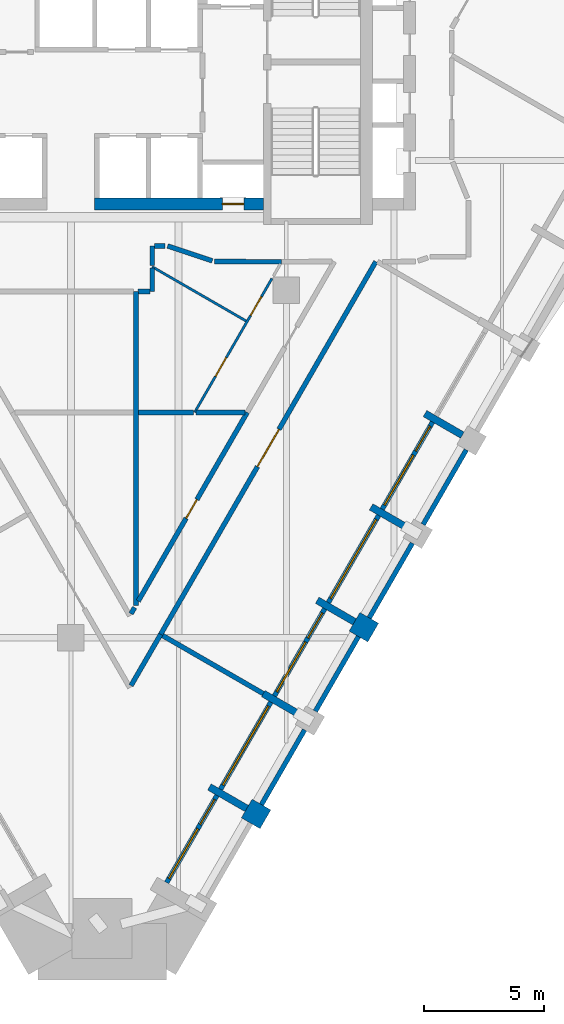
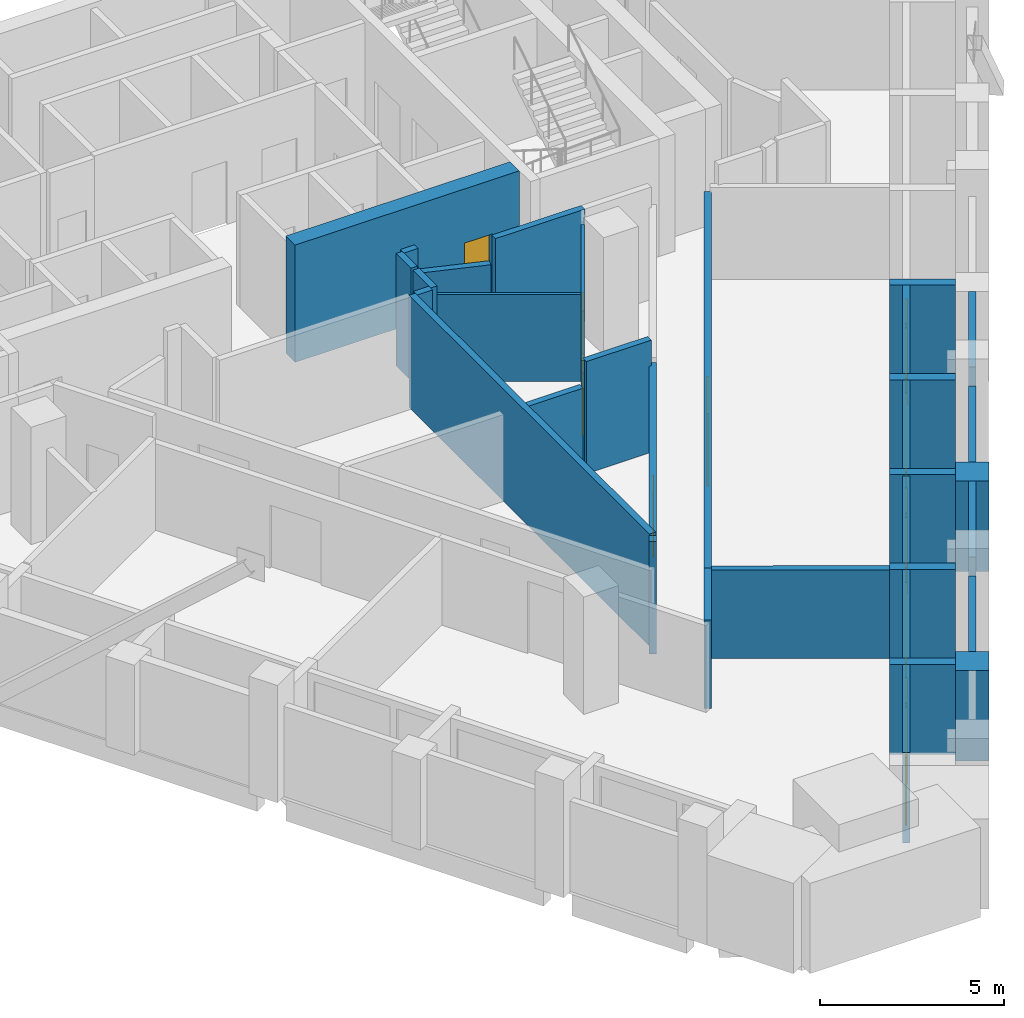
# One storey, part 4 of 9: 33 walls, 8 doors, 5 windows, 13 openings.
"""IFC4 building model written with IfcOpenShell, lengths in metres."""

from ifc_helpers import new_model, si_unit, direction, frame, frame_2d, origin, place, context, subcontext, project, spatial, polyline, rectangle, outline, extrude, material, layer, layer_set, type_object, element, fill, save


model = new_model("IFC4")

# Units and contexts
model_context = context("Model", 3, precision=1e-05, world=origin(), true_north=direction((0.0, 1.0)))
body_context = subcontext(model_context, "Body", "Model", "MODEL_VIEW")
ifc_project = project(units=[si_unit("LENGTHUNIT", "METRE"), si_unit("AREAUNIT", "SQUARE_METRE"), si_unit("VOLUMEUNIT", "CUBIC_METRE"), si_unit("PLANEANGLEUNIT", "RADIAN"), si_unit("MASSUNIT", "GRAM", prefix="KILO")], contexts=[model_context])

# Site, building, storey
site_placement = place(None, origin())
site = spatial("IfcSite", under=ifc_project, at=site_placement, CompositionType="ELEMENT")
building_placement = place(site_placement, origin())
building = spatial("IfcBuilding", under=site, at=building_placement, Name="Calabash Gate Tower", CompositionType="ELEMENT")
storey_placement = place(building_placement, frame((0.0, 0.0, 204.199951171875)))
storey = spatial("IfcBuildingStorey", under=building, at=storey_placement, Name="L48", CompositionType="ELEMENT", Elevation=204.199951171875)

# Walls
ifc_material_1 = material(Name="Terracotta brick masonry, exposed face", Category="masonry")
ifc_layer_1 = layer(ifc_material_1, 0.89990234375)
ifc_layer_set_1 = layer_set([ifc_layer_1], Name="Brick end wall 900")
wall_type_1 = type_object("IfcWallType", Name="Brick end wall 900", PredefinedType="SOLIDWALL", material=ifc_layer_set_1)
for number, where, z_axis, x_axis, name in (
    (1, (7.9609375, -18.967041015625, 0.0), (0.0, 0.0, 1.0), (-0.50001992892, -0.866013897511, 0.0), "Brick pier S13 SE2.1"),
    (2, (11.84619140625, -11.33740234375, 0.0), (0.0, 0.0, 1.0), (0.865896406789, -0.500223362819, 0.0), "Brick pier S13 SE2.3"),
):
    element("IfcWall", number, at=place(storey_placement, frame(where, z_axis=z_axis, x_axis=x_axis)), inside=storey, type_object=wall_type_1, Name=name, PredefinedType="SOLIDWALL", context=body_context, shape_type="SweptSolid", body=[
        extrude(rectangle(XDim=0.89990234375, YDim=0.89990234375, at=frame_2d((0.449951171875, 0.0))), origin(), (0.0, 0.0, 1.0), 3.0),
    ])
ifc_material_2 = material(Name="Terracotta brick masonry, exposed face", Category="masonry")
ifc_layer_2 = layer(ifc_material_2, 0.300048828125)
ifc_layer_set_2 = layer_set([ifc_layer_2], Name="Brick loggia cheek wall 300")
wall_type_2 = type_object("IfcWallType", Name="Brick loggia cheek wall 300", PredefinedType="SOLIDWALL", material=ifc_layer_set_2)
for number, where, z_axis, x_axis, name in (
    (3, (7.34619140625, -19.131591796875, 0.0), (0.0, 0.0, 1.0), (-0.866047807691, 0.499961193289, 0.0), "Loggia cheek S13 SE2.1"),
    (4, (9.59619140625, -15.234619140625, 0.0), (0.0, 0.0, 1.0), (-0.866047807691, 0.499961193289, 0.0), "Loggia cheek S13 SE2.2"),
    (5, (11.84619140625, -11.33740234375, 0.0), (0.0, 0.0, 1.0), (-0.866047807691, 0.499961193289, 0.0), "Loggia cheek S13 SE2.3"),
):
    element("IfcWall", number, at=place(storey_placement, frame(where, z_axis=z_axis, x_axis=x_axis)), inside=storey, type_object=wall_type_2, Name=name, PredefinedType="SOLIDWALL", context=body_context, shape_type="SweptSolid", body=[
        extrude(rectangle(XDim=1.800048828125, YDim=0.300048828125, at=frame_2d((0.89990234375, 0.0))), origin(), (0.0, 0.0, 1.0), 3.0),
    ])
wall_1_placement = place(storey_placement, frame((14.09521484375, -7.43994140625, 0.0), z_axis=(0.0, 0.0, 1.0), x_axis=(-0.86597086914, 0.50009444488, 0.0)))
element("IfcWall", 6, at=wall_1_placement, inside=storey, type_object=wall_type_2, Name="Loggia cheek S13 SE2.4", PredefinedType="SOLIDWALL", context=body_context, shape_type="SweptSolid", body=[
    extrude(rectangle(XDim=1.799072265625, YDim=0.300048828125, at=frame_2d((0.8994140625, 0.0))), origin(), (0.0, 0.0, 1.0), 3.0),
])
wall_2_placement = place(storey_placement, frame((16.34619140625, -3.543212890625, 0.0), z_axis=(0.0, 0.0, 1.0), x_axis=(-0.866047807691, 0.499961193289, 0.0)))
element("IfcWall", 7, at=wall_2_placement, inside=storey, type_object=wall_type_2, Name="Loggia cheek S13 SE2.5", PredefinedType="SOLIDWALL", context=body_context, shape_type="SweptSolid", body=[
    extrude(rectangle(XDim=1.800048828125, YDim=0.300048828125, at=frame_2d((0.89990234375, 0.0))), origin(), (0.0, 0.0, 1.0), 3.0),
])

# Wall, opening, door
ifc_material_3 = material(Name="Concrete C70/85", Category="concrete")
ifc_layer_3 = layer(ifc_material_3, 0.5)
ifc_layer_set_3 = layer_set([ifc_layer_3], Name="Core wall 500 Concrete C70/85")
wall_type_3 = type_object("IfcWallType", Name="Core wall 500 Concrete C70/85", PredefinedType="SHEAR", material=ifc_layer_set_3)
wall_3_placement = place(storey_placement, frame((1.0, 6.1025390625, 0.0), z_axis=(0.0, 0.0, 1.0), x_axis=(1.0, 0.0, 0.0)))
wall_3 = element("IfcWall", 8, at=wall_3_placement, inside=storey, type_object=wall_type_3, Name="Core wall Z4-SB L48", PredefinedType="SHEAR", context=body_context, shape_type="SweptSolid", body=[
    extrude(rectangle(XDim=7.050048828125, YDim=0.5, at=frame_2d((3.52490234375, 0.0))), origin(), (0.0, 0.0, 1.0), 3.900146484375),
])
opening_1_placement = place(wall_3_placement, frame((5.324951171875, 0.0, 0.0)))
opening_1 = element("IfcOpeningElement", 9, at=opening_1_placement, cuts=wall_3, Name="Opening O5-016", PredefinedType="OPENING", context=body_context, shape_type="SweptSolid", body=[
    extrude(rectangle(XDim=0.89990234375, YDim=2.10009765625, at=frame_2d((0.449951171875, 1.050048828125))), frame((0.0, 0.260009765625, 0.0), z_axis=(0.0, -1.0, 0.0), x_axis=(1.0, 0.0, 0.0)), (0.0, 0.0, 1.0), 0.52001953125),
])
ifc_material_4 = material(Name="Steel fire door set with fire-resisting glazing", Category="steel")
door_type_1 = type_object("IfcDoorType", Name="Fire door D07 900x2100 FD90", OperationType="NOTDEFINED", PredefinedType="DOOR", material=ifc_material_4)
door_1_placement = place(opening_1_placement, origin())
door_1 = element("IfcDoor", 10, at=door_1_placement, inside=storey, type_object=door_type_1, Name="Mechanical Riser E door", OperationType="SINGLE_SWING_RIGHT", OverallHeight=2.10009765625, OverallWidth=0.89990234375, PredefinedType="DOOR", context=body_context, shape_type="SweptSolid", body=[
    extrude(rectangle(XDim=0.89990234375, YDim=2.10009765625, at=frame_2d((0.449951171875, 1.050048828125))), frame((0.0, 0.02490234375, 0.0), z_axis=(0.0, -1.0, 0.0), x_axis=(1.0, 0.0, 0.0)), (0.0, 0.0, 1.0), 0.050048828125),
])
fill(opening_1, door_1)

# Wall, openings, doors
ifc_material_5 = material(Name="Gypsum board on steel studs, mineral wool", Category="steel")
ifc_layer_4 = layer(ifc_material_5, 0.10009765625)
ifc_layer_set_4 = layer_set([ifc_layer_4], Name="Partition 100 gypsum board")
wall_type_4 = type_object("IfcWallType", Name="Partition 100 gypsum board", PredefinedType="PARTITIONING", material=ifc_layer_set_4)
wall_4_placement = place(storey_placement, frame((5.17138671875, -2.5947265625, 0.0), z_axis=(0.0, 0.0, 1.0), x_axis=(0.499959304802, 0.866048897893, 0.0)))
wall_4 = element("IfcWall", 11, at=wall_4_placement, inside=storey, type_object=wall_type_4, Name="Partition", PredefinedType="PARTITIONING", context=body_context, shape_type="SweptSolid", body=[
    extrude(rectangle(XDim=6.4541015625, YDim=0.10009765625, at=frame_2d((3.22705078125, 0.0))), origin(), (0.0, 0.0, 1.0), 3.72998046875),
])
opening_2_placement = place(wall_4_placement, frame((1.7392578125, 0.0, 0.0)))
opening_2 = element("IfcOpeningElement", 12, at=opening_2_placement, cuts=wall_4, Name="Opening 46-48-014", PredefinedType="OPENING", context=body_context, shape_type="SweptSolid", body=[
    extrude(rectangle(XDim=0.89990234375, YDim=2.10009765625, at=frame_2d((0.449951171875, 1.050048828125))), frame((0.0, 0.06005859375, 0.0), z_axis=(0.0, -1.0, 0.0), x_axis=(1.0, 0.0, 0.0)), (0.0, 0.0, 1.0), 0.1201171875),
])
opening_3_placement = place(wall_4_placement, frame((4.67333984375, 0.0, 0.0)))
opening_3 = element("IfcOpeningElement", 13, at=opening_3_placement, cuts=wall_4, Name="Opening 46-48-015", PredefinedType="OPENING", context=body_context, shape_type="SweptSolid", body=[
    extrude(rectangle(XDim=0.89990234375, YDim=2.10009765625, at=frame_2d((0.449951171875, 1.050048828125))), frame((0.0, 0.06005859375, 0.0), z_axis=(0.0, -1.0, 0.0), x_axis=(1.0, 0.0, 0.0)), (0.0, 0.0, 1.0), 0.1201171875),
])
ifc_material_6 = material(Name="Painted timber door", Category="wood")
door_type_2 = type_object("IfcDoorType", Name="WD1 WC door 900x2100", OperationType="NOTDEFINED", PredefinedType="DOOR", material=ifc_material_6)
door_2_placement = place(opening_2_placement, origin())
door_2 = element("IfcDoor", 14, at=door_2_placement, inside=storey, type_object=door_type_2, Name="WC door", OperationType="SINGLE_SWING_LEFT", OverallHeight=2.10009765625, OverallWidth=0.89990234375, PredefinedType="DOOR", context=body_context, shape_type="SweptSolid", body=[
    extrude(rectangle(XDim=0.89990234375, YDim=2.10009765625, at=frame_2d((0.449951171875, 1.050048828125))), frame((0.0, 0.02490234375, 0.0), z_axis=(0.0, -1.0, 0.0), x_axis=(1.0, 0.0, 0.0)), (0.0, 0.0, 1.0), 0.050048828125),
])
fill(opening_2, door_2)
door_3_placement = place(opening_3_placement, origin())
door_3 = element("IfcDoor", 15, at=door_3_placement, inside=storey, type_object=door_type_2, Name="WC door", OperationType="SINGLE_SWING_RIGHT", OverallHeight=2.10009765625, OverallWidth=0.89990234375, PredefinedType="DOOR", context=body_context, shape_type="SweptSolid", body=[
    extrude(rectangle(XDim=0.89990234375, YDim=2.10009765625, at=frame_2d((0.449951171875, 1.050048828125))), frame((0.0, 0.02490234375, 0.0), z_axis=(0.0, -1.0, 0.0), x_axis=(1.0, 0.0, 0.0)), (0.0, 0.0, 1.0), 0.050048828125),
])
fill(opening_3, door_3)

# Walls
wall_5_placement = place(storey_placement, frame((3.400390625, 3.484375, 0.0), z_axis=(0.0, 0.0, 1.0), x_axis=(0.866039077776, -0.499976315204, 0.0)))
element("IfcWall", 16, at=wall_5_placement, inside=storey, type_object=wall_type_4, Name="Partition", PredefinedType="PARTITIONING", context=body_context, shape_type="SweptSolid", body=[
    extrude(rectangle(XDim=4.523193359375, YDim=0.10009765625, at=frame_2d((2.26171875, 0.0))), origin(), (0.0, 0.0, 1.0), 2.884033203125),
])
ifc_material_7 = material(Name="Gypsum board on steel studs, mineral wool", Category="steel")
ifc_layer_5 = layer(ifc_material_7, 0.199951171875)
ifc_layer_set_5 = layer_set([ifc_layer_5], Name="Partition 200 gypsum board EI 60")
wall_type_5 = type_object("IfcWallType", Name="Partition 200 gypsum board EI 60", PredefinedType="PARTITIONING", material=ifc_layer_set_5)
wall_6_placement = place(storey_placement, frame((3.83642578125, -11.91162109375, 0.0), z_axis=(0.0, 0.0, 1.0), x_axis=(0.866197319414, -0.499702115105, 0.0)))
element("IfcWall", 17, at=wall_6_placement, inside=storey, type_object=wall_type_5, Name="Partition", PredefinedType="PARTITIONING", context=body_context, shape_type="SweptSolid", body=[
    extrude(rectangle(XDim=4.849609375, YDim=0.199951171875, at=frame_2d((2.4248046875, 0.0))), origin(), (0.0, 0.0, 1.0), 2.9501953125),
])
wall_7_placement = place(storey_placement, frame((2.514892578125, -14.0, 0.0), z_axis=(0.0, 0.0, 1.0), x_axis=(0.500654523814, 0.865647184357, 0.0)))
element("IfcWall", 18, at=wall_7_placement, inside=storey, type_object=wall_type_5, Name="Partition", PredefinedType="PARTITIONING", context=body_context, shape_type="SweptSolid", body=[
    extrude(rectangle(XDim=2.470947265625, YDim=0.199951171875, at=frame_2d((1.2353515625, 0.0))), origin(), (0.0, 0.0, 1.0), 2.9501953125),
])
wall_8_placement = place(storey_placement, frame((2.514892578125, -10.999267578125, 0.0), z_axis=(0.0, 0.0, 1.0), x_axis=(0.500426713919, 0.865778900179, 0.0)))
element("IfcWall", 19, at=wall_8_placement, inside=storey, type_object=wall_type_5, Name="Partition", PredefinedType="PARTITIONING", context=body_context, shape_type="SweptSolid", body=[
    extrude(rectangle(XDim=0.300048828125, YDim=0.199951171875, at=frame_2d((0.14990234375, 0.0))), origin(), (0.0, 0.0, 1.0), 3.72998046875),
])

# Wall, opening, door
wall_9_placement = place(storey_placement, frame((2.81689453125, -10.47265625, 0.0), z_axis=(0.0, 0.0, 1.0), x_axis=(0.500185489254, 0.865918285024, 0.0)))
wall_9 = element("IfcWall", 20, at=wall_9_placement, inside=storey, type_object=wall_type_5, Name="Partition", PredefinedType="PARTITIONING", context=body_context, shape_type="SweptSolid", body=[
    extrude(rectangle(XDim=9.09716796875, YDim=0.199951171875, at=frame_2d((4.548583984375, 0.0))), origin(), (0.0, 0.0, 1.0), 2.884033203125),
])
opening_4_placement = place(wall_9_placement, frame((3.995361328125, 0.0, 0.0)))
opening_4 = element("IfcOpeningElement", 21, at=opening_4_placement, cuts=wall_9, Name="Opening 46-48-005", PredefinedType="OPENING", context=body_context, shape_type="SweptSolid", body=[
    extrude(rectangle(XDim=0.89990234375, YDim=2.10009765625, at=frame_2d((0.449951171875, 1.050048828125))), frame((0.0, 0.10986328125, 0.0), z_axis=(0.0, -1.0, 0.0), x_axis=(1.0, 0.0, 0.0)), (0.0, 0.0, 1.0), 0.219970703125),
])
ifc_material_8 = material(Name="Steel fire door set with fire-resisting glazing", Category="steel")
door_type_3 = type_object("IfcDoorType", Name="SD3 Store door 900x2100", OperationType="NOTDEFINED", PredefinedType="DOOR", material=ifc_material_8)
door_4_placement = place(opening_4_placement, origin())
door_4 = element("IfcDoor", 22, at=door_4_placement, inside=storey, type_object=door_type_3, Name="Store door", OperationType="SINGLE_SWING_LEFT", OverallHeight=2.10009765625, OverallWidth=0.89990234375, PredefinedType="DOOR", context=body_context, shape_type="SweptSolid", body=[
    extrude(rectangle(XDim=0.89990234375, YDim=2.10009765625, at=frame_2d((0.449951171875, 1.050048828125))), frame((0.0, 0.02490234375, 0.0), z_axis=(0.0, -1.0, 0.0), x_axis=(1.0, 0.0, 0.0)), (0.0, 0.0, 1.0), 0.050048828125),
])
fill(opening_4, door_4)

# Walls
wall_10_placement = place(storey_placement, frame((2.81689453125, -2.593017578125, 0.0), z_axis=(0.0, 0.0, 1.0), x_axis=(1.0, 0.0, 0.0)))
element("IfcWall", 23, at=wall_10_placement, inside=storey, type_object=wall_type_5, Name="Partition", PredefinedType="PARTITIONING", context=body_context, shape_type="SweptSolid", body=[
    extrude(rectangle(XDim=2.307373046875, YDim=0.199951171875, at=frame_2d((1.15380859375, 0.0))), origin(), (0.0, 0.0, 1.0), 2.884033203125),
])
wall_11_placement = place(storey_placement, frame((5.223388671875, -2.5947265625, 0.0), z_axis=(0.0, 0.0, 1.0), x_axis=(0.999999821446, 0.000597585647, 0.0)))
element("IfcWall", 24, at=wall_11_placement, inside=storey, type_object=wall_type_5, Name="Partition", PredefinedType="PARTITIONING", context=body_context, shape_type="SweptSolid", body=[
    extrude(rectangle(XDim=2.042724609375, YDim=0.199951171875, at=frame_2d((1.021484375, 0.0))), origin(), (0.0, 0.0, 1.0), 3.72998046875),
])
wall_12_placement = place(storey_placement, frame((2.717041015625, -10.645751953125, 0.0), z_axis=(0.0, 0.0, 1.0), x_axis=(0.0, 1.0, 0.0)))
element("IfcWall", 25, at=wall_12_placement, inside=storey, type_object=wall_type_5, Name="Partition", PredefinedType="PARTITIONING", context=body_context, shape_type="SweptSolid", body=[
    extrude(rectangle(XDim=13.096435546875, YDim=0.199951171875, at=frame_2d((6.54833984375, 0.0))), origin(), (0.0, 0.0, 1.0), 3.72998046875),
])
wall_13_placement = place(storey_placement, frame((2.81689453125, 2.45068359375, 0.0), z_axis=(0.0, 0.0, 1.0), x_axis=(0.999995404022, 0.003031820325, 0.0)))
element("IfcWall", 26, at=wall_13_placement, inside=storey, type_object=wall_type_5, Name="Partition", PredefinedType="PARTITIONING", context=body_context, shape_type="SweptSolid", body=[
    extrude(rectangle(XDim=0.483154296875, YDim=0.199951171875, at=frame_2d((0.24169921875, 0.0))), origin(), (0.0, 0.0, 1.0), 3.72998046875),
])
wall_14_placement = place(storey_placement, frame((3.39990234375, 2.452392578125, 0.0), z_axis=(0.0, 0.0, 1.0), x_axis=(0.001995008499, 0.999998009969, 0.0)))
element("IfcWall", 27, at=wall_14_placement, inside=storey, type_object=wall_type_5, Name="Partition", PredefinedType="PARTITIONING", context=body_context, shape_type="SweptSolid", body=[
    extrude(rectangle(XDim=0.97900390625, YDim=0.199951171875, at=frame_2d((0.489501953125, 0.0))), origin(), (0.0, 0.0, 1.0), 3.72998046875),
])
wall_15_placement = place(storey_placement, frame((6.0, 3.69970703125, 0.0), z_axis=(0.0, 0.0, 1.0), x_axis=(0.999999814584, -0.000608960305, 0.0)))
element("IfcWall", 28, at=wall_15_placement, inside=storey, type_object=wall_type_5, Name="Partition", PredefinedType="PARTITIONING", context=body_context, shape_type="SweptSolid", body=[
    extrude(rectangle(XDim=2.806396484375, YDim=0.199951171875, at=frame_2d((1.4033203125, 0.0))), origin(), (0.0, 0.0, 1.0), 3.72998046875),
])

# Wall, opening, door
wall_16_placement = place(storey_placement, frame((3.752197265625, -11.860595703125, 0.0), z_axis=(0.0, 0.0, 1.0), x_axis=(0.499914191036, 0.866074939945, 0.0)))
wall_16 = element("IfcWall", 29, at=wall_16_placement, inside=storey, type_object=wall_type_5, Name="Partition", PredefinedType="PARTITIONING", context=body_context, shape_type="SweptSolid", body=[
    extrude(rectangle(XDim=17.966552734375, YDim=0.199951171875, at=frame_2d((8.9833984375, 0.0))), origin(), (0.0, 0.0, 1.0), 2.884033203125),
])
opening_5_placement = place(wall_16_placement, frame((8.083251953125, 0.0, 0.0)))
opening_5 = element("IfcOpeningElement", 30, at=opening_5_placement, cuts=wall_16, Name="Opening 46-48-002", PredefinedType="OPENING", context=body_context, shape_type="SweptSolid", body=[
    extrude(rectangle(XDim=1.800048828125, YDim=2.39990234375, at=frame_2d((0.89990234375, 1.199951171875))), frame((0.0, 0.10986328125, 0.0), z_axis=(0.0, -1.0, 0.0), x_axis=(1.0, 0.0, 0.0)), (0.0, 0.0, 1.0), 0.219970703125),
])
ifc_material_9 = material(Name="Steel fire door set with fire-resisting glazing", Category="steel")
door_type_4 = type_object("IfcDoorType", Name="OD5 Open office double door 1800x2400", OperationType="NOTDEFINED", PredefinedType="DOOR", material=ifc_material_9)
door_5_placement = place(opening_5_placement, origin())
door_5 = element("IfcDoor", 31, at=door_5_placement, inside=storey, type_object=door_type_4, Name="Open office double door", OperationType="DOUBLE_DOOR_SINGLE_SWING", OverallHeight=2.39990234375, OverallWidth=1.800048828125, PredefinedType="DOOR", context=body_context, shape_type="SweptSolid", body=[
    extrude(rectangle(XDim=1.800048828125, YDim=2.39990234375, at=frame_2d((0.89990234375, 1.199951171875))), frame((0.0, 0.02490234375, 0.0), z_axis=(0.0, -1.0, 0.0), x_axis=(1.0, 0.0, 0.0)), (0.0, 0.0, 1.0), 0.050048828125),
])
fill(opening_5, door_5)

# Walls
wall_17_placement = place(storey_placement, frame((4.042236328125, 4.352294921875, 0.0), z_axis=(0.0, 0.0, 1.0), x_axis=(0.948695731075, -0.316190464499, 0.0)))
element("IfcWall", 32, at=wall_17_placement, inside=storey, type_object=wall_type_5, Name="Partition", PredefinedType="PARTITIONING", context=body_context, shape_type="SweptSolid", body=[
    extrude(rectangle(XDim=1.963623046875, YDim=0.199951171875, at=frame_2d((0.98193359375, 0.0))), origin(), (0.0, 0.0, 1.0), 2.884033203125),
])
wall_18_placement = place(storey_placement, frame((3.402099609375, 3.531494140625, 0.0), z_axis=(0.0, 0.0, 1.0), x_axis=(0.0, 1.0, 0.0)))
element("IfcWall", 33, at=wall_18_placement, inside=storey, type_object=wall_type_5, Name="Partition", PredefinedType="PARTITIONING", context=body_context, shape_type="SweptSolid", body=[
    extrude(rectangle(XDim=0.819091796875, YDim=0.199951171875, at=frame_2d((0.40966796875, 0.0))), origin(), (0.0, 0.0, 1.0), 3.72998046875),
])
wall_19_placement = place(storey_placement, frame((3.501953125, 4.350830078125, 0.0), z_axis=(0.0, 0.0, 1.0), x_axis=(0.999996159087, 0.00277160798, 0.0)))
element("IfcWall", 34, at=wall_19_placement, inside=storey, type_object=wall_type_5, Name="Partition", PredefinedType="PARTITIONING", context=body_context, shape_type="SweptSolid", body=[
    extrude(rectangle(XDim=0.4404296875, YDim=0.199951171875, at=frame_2d((0.22021484375, 0.0))), origin(), (0.0, 0.0, 1.0), 3.72998046875),
])
ifc_material_10 = material(Name="Terracotta brick masonry, perforated", Category="masonry")
ifc_layer_6 = layer(ifc_material_10, 0.199951171875)
ifc_layer_set_6 = layer_set([ifc_layer_6], Name="Terracotta jaali screen A")
wall_type_6 = type_object("IfcWallType", Name="Terracotta jaali screen A", PredefinedType="SOLIDWALL", material=ifc_layer_set_6)
for number, where, z_axis, x_axis, name in (
    (35, (7.9609375, -18.967041015625, 0.0), (0.0, 0.0, 1.0), (0.500012057535, 0.866018442252, 0.0), "SCREEN A S13 SE2.2"),
    (36, (10.2109375, -15.06982421875, 0.0), (0.0, 0.0, 1.0), (0.500012057535, 0.866018442252, 0.0), "SCREEN A S13 SE2.3"),
    (37, (12.4609375, -11.1728515625, 0.0), (0.0, 0.0, 1.0), (0.500012057535, 0.866018442252, 0.0), "SCREEN A S13 SE2.4"),
):
    element("IfcWall", number, at=place(storey_placement, frame(where, z_axis=z_axis, x_axis=x_axis)), inside=storey, type_object=wall_type_6, Name=name, PredefinedType="SOLIDWALL", context=body_context, shape_type="SweptSolid", body=[
        extrude(rectangle(XDim=3.60009765625, YDim=0.199951171875, at=frame_2d((1.800048828125, 0.0))), origin(), (0.0, 0.0, 1.0), 3.0),
    ])
wall_20_placement = place(storey_placement, origin())
element("IfcWall", 38, at=wall_20_placement, inside=storey, type_object=wall_type_6, Name="SCREEN A S13 SE2.5", PredefinedType="SOLIDWALL", context=body_context, shape_type="SweptSolid", body=[
    extrude(outline(polyline([(16.42431640625, -4.10791015625), (14.625244140625, -7.223876953125), (14.798583984375, -7.32373046875), (16.597412109375, -4.2080078125), (16.42431640625, -4.10791015625)])), origin(), (0.0, 0.0, 1.0), 3.0),
])

# Wall, openings, door, window
ifc_material_11 = material(Name="Aluminium framed window wall with insulated spandrel", Category="aluminium")
ifc_layer_7 = layer(ifc_material_11, 0.199951171875)
ifc_layer_set_7 = layer_set([ifc_layer_7], Name="Window wall 200")
wall_type_7 = type_object("IfcWallType", Name="Window wall 200", PredefinedType="ELEMENTEDWALL", material=ifc_layer_set_7)
wall_21_placement = place(storey_placement, frame((4.001953125, -22.223876953125, 0.0), z_axis=(0.0, 0.0, 1.0), x_axis=(0.500027713859, 0.866009402589, 0.0)))
wall_21 = element("IfcWall", 39, at=wall_21_placement, inside=storey, type_object=wall_type_7, Name="Window wall S13 SE2.1", PredefinedType="ELEMENTEDWALL", context=body_context, shape_type="SweptSolid", body=[
    extrude(rectangle(XDim=4.199951171875, YDim=0.199951171875, at=frame_2d((2.10009765625, 0.0))), origin(), (0.0, 0.0, 1.0), 3.0),
])
opening_6_placement = place(wall_21_placement, frame((0.199951171875, 0.0, 0.449951171875)))
opening_6 = element("IfcOpeningElement", 40, at=opening_6_placement, cuts=wall_21, Name="Opening OW1", PredefinedType="OPENING", context=body_context, shape_type="SweptSolid", body=[
    extrude(rectangle(XDim=2.39990234375, YDim=2.25, at=frame_2d((1.199951171875, 1.125))), frame((0.0, 0.10986328125, 0.0), z_axis=(0.0, -1.0, 0.0), x_axis=(1.0, 0.0, 0.0)), (0.0, 0.0, 1.0), 0.219970703125),
])
opening_7_placement = place(wall_21_placement, frame((2.800048828125, 0.0, 0.0)))
opening_7 = element("IfcOpeningElement", 41, at=opening_7_placement, cuts=wall_21, Name="Opening O5-023", PredefinedType="OPENING", context=body_context, shape_type="SweptSolid", body=[
    extrude(rectangle(XDim=1.199951171875, YDim=2.699951171875, at=frame_2d((0.60009765625, 1.35009765625))), frame((0.0, 0.10986328125, 0.0), z_axis=(0.0, -1.0, 0.0), x_axis=(1.0, 0.0, 0.0)), (0.0, 0.0, 1.0), 0.219970703125),
])
ifc_material_12 = material(Name="Anodised aluminium frame, bronze finish, impact-rated laminated clear glazing", Category="aluminium")
door_type_5 = type_object("IfcDoorType", Name="Loggia door DO1 1200x2700", OperationType="SLIDING_TO_LEFT", PredefinedType="DOOR", material=ifc_material_12)
door_6_placement = place(opening_7_placement, origin())
door_6 = element("IfcDoor", 42, at=door_6_placement, inside=storey, type_object=door_type_5, Name="Loggia door S13 SE2.1", OperationType="SINGLE_SWING_LEFT", OverallHeight=2.699951171875, OverallWidth=1.199951171875, PredefinedType="DOOR", context=body_context, shape_type="SweptSolid", body=[
    extrude(rectangle(XDim=1.199951171875, YDim=2.699951171875, at=frame_2d((0.60009765625, 1.35009765625))), frame((0.0, 0.02490234375, 0.0), z_axis=(0.0, -1.0, 0.0), x_axis=(1.0, 0.0, 0.0)), (0.0, 0.0, 1.0), 0.050048828125),
])
fill(opening_7, door_6)
ifc_material_13 = material(Name="Anodised aluminium frame, bronze finish, impact-rated laminated clear glazing", Category="aluminium")
window_type_1 = type_object("IfcWindowType", Name="Window OW1 2400x2250", PartitioningType="DOUBLE_PANEL_VERTICAL", PredefinedType="WINDOW", material=ifc_material_13)
window_1_placement = place(opening_6_placement, origin())
window_1 = element("IfcWindow", 43, at=window_1_placement, inside=storey, type_object=window_type_1, Name="Window OW1 S13 SE2.1", OverallHeight=2.25, OverallWidth=2.39990234375, PartitioningType="SINGLE_PANEL", PredefinedType="WINDOW", context=body_context, shape_type="SweptSolid", body=[
    extrude(rectangle(XDim=2.39990234375, YDim=2.25, at=frame_2d((1.199951171875, 1.125))), frame((0.0, 0.030029296875, 0.0), z_axis=(0.0, -1.0, 0.0), x_axis=(1.0, 0.0, 0.0)), (0.0, 0.0, 1.0), 0.06005859375),
])
fill(opening_6, window_1)

# Wall, opening, window
wall_22_placement = place(storey_placement, frame((6.251953125, -18.326904296875, 0.0), z_axis=(0.0, 0.0, 1.0), x_axis=(0.500002543286, 0.866023935413, 0.0)))
wall_22 = element("IfcWall", 44, at=wall_22_placement, inside=storey, type_object=wall_type_7, Name="Window wall S13 SE2.2", PredefinedType="ELEMENTEDWALL", context=body_context, shape_type="SweptSolid", body=[
    extrude(rectangle(XDim=4.2001953125, YDim=0.199951171875, at=frame_2d((2.10009765625, 0.0))), origin(), (0.0, 0.0, 1.0), 3.0),
])
opening_8_placement = place(wall_22_placement, frame((0.199951171875, 0.0, 0.449951171875)))
opening_8 = element("IfcOpeningElement", 45, at=opening_8_placement, cuts=wall_22, Name="Opening OW2", PredefinedType="OPENING", context=body_context, shape_type="SweptSolid", body=[
    extrude(rectangle(XDim=3.800048828125, YDim=2.25, at=frame_2d((1.89990234375, 1.125))), frame((0.0, 0.10986328125, 0.0), z_axis=(0.0, -1.0, 0.0), x_axis=(1.0, 0.0, 0.0)), (0.0, 0.0, 1.0), 0.219970703125),
])
ifc_material_14 = material(Name="Anodised aluminium frame, bronze finish, impact-rated laminated clear glazing", Category="aluminium")
window_type_2 = type_object("IfcWindowType", Name="Window OW2 3800x2250", PartitioningType="TRIPLE_PANEL_VERTICAL", PredefinedType="WINDOW", material=ifc_material_14)
window_2_placement = place(opening_8_placement, origin())
window_2 = element("IfcWindow", 46, at=window_2_placement, inside=storey, type_object=window_type_2, Name="Window OW2 S13 SE2.2", OverallHeight=2.25, OverallWidth=3.800048828125, PartitioningType="SINGLE_PANEL", PredefinedType="WINDOW", context=body_context, shape_type="SweptSolid", body=[
    extrude(rectangle(XDim=3.800048828125, YDim=2.25, at=frame_2d((1.89990234375, 1.125))), frame((0.0, 0.030029296875, 0.0), z_axis=(0.0, -1.0, 0.0), x_axis=(1.0, 0.0, 0.0)), (0.0, 0.0, 1.0), 0.06005859375),
])
fill(opening_8, window_2)

# Wall, openings, door, window
wall_23_placement = place(storey_placement, frame((8.501953125, -14.4296875, 0.0), z_axis=(0.0, 0.0, 1.0), x_axis=(0.500027713859, 0.866009402589, 0.0)))
wall_23 = element("IfcWall", 47, at=wall_23_placement, inside=storey, type_object=wall_type_7, Name="Window wall S13 SE2.3", PredefinedType="ELEMENTEDWALL", context=body_context, shape_type="SweptSolid", body=[
    extrude(rectangle(XDim=4.199951171875, YDim=0.199951171875, at=frame_2d((2.10009765625, 0.0))), origin(), (0.0, 0.0, 1.0), 2.9501953125),
])
opening_9_placement = place(wall_23_placement, frame((0.199951171875, 0.0, 0.449951171875)))
opening_9 = element("IfcOpeningElement", 48, at=opening_9_placement, cuts=wall_23, Name="Opening OW1", PredefinedType="OPENING", context=body_context, shape_type="SweptSolid", body=[
    extrude(rectangle(XDim=2.39990234375, YDim=2.25, at=frame_2d((1.199951171875, 1.125))), frame((0.0, 0.10986328125, 0.0), z_axis=(0.0, -1.0, 0.0), x_axis=(1.0, 0.0, 0.0)), (0.0, 0.0, 1.0), 0.219970703125),
])
opening_10_placement = place(wall_23_placement, frame((2.800048828125, 0.0, 0.0)))
opening_10 = element("IfcOpeningElement", 49, at=opening_10_placement, cuts=wall_23, Name="Opening O5-024", PredefinedType="OPENING", context=body_context, shape_type="SweptSolid", body=[
    extrude(rectangle(XDim=1.199951171875, YDim=2.699951171875, at=frame_2d((0.60009765625, 1.35009765625))), frame((0.0, 0.10986328125, 0.0), z_axis=(0.0, -1.0, 0.0), x_axis=(1.0, 0.0, 0.0)), (0.0, 0.0, 1.0), 0.219970703125),
])
door_7_placement = place(opening_10_placement, origin())
door_7 = element("IfcDoor", 50, at=door_7_placement, inside=storey, type_object=door_type_5, Name="Loggia door S13 SE2.3", OperationType="SINGLE_SWING_LEFT", OverallHeight=2.699951171875, OverallWidth=1.199951171875, PredefinedType="DOOR", context=body_context, shape_type="SweptSolid", body=[
    extrude(rectangle(XDim=1.199951171875, YDim=2.699951171875, at=frame_2d((0.60009765625, 1.35009765625))), frame((0.0, 0.02490234375, 0.0), z_axis=(0.0, -1.0, 0.0), x_axis=(1.0, 0.0, 0.0)), (0.0, 0.0, 1.0), 0.050048828125),
])
fill(opening_10, door_7)
window_3_placement = place(opening_9_placement, origin())
window_3 = element("IfcWindow", 51, at=window_3_placement, inside=storey, type_object=window_type_1, Name="Window OW1 S13 SE2.3", OverallHeight=2.25, OverallWidth=2.39990234375, PartitioningType="SINGLE_PANEL", PredefinedType="WINDOW", context=body_context, shape_type="SweptSolid", body=[
    extrude(rectangle(XDim=2.39990234375, YDim=2.25, at=frame_2d((1.199951171875, 1.125))), frame((0.0, 0.030029296875, 0.0), z_axis=(0.0, -1.0, 0.0), x_axis=(1.0, 0.0, 0.0)), (0.0, 0.0, 1.0), 0.06005859375),
])
fill(opening_9, window_3)

# Wall, opening, window
wall_24_placement = place(storey_placement, frame((10.751953125, -10.532470703125, 0.0), z_axis=(0.0, 0.0, 1.0), x_axis=(0.500027713859, 0.866009402589, 0.0)))
wall_24 = element("IfcWall", 52, at=wall_24_placement, inside=storey, type_object=wall_type_7, Name="Window wall S13 SE2.4", PredefinedType="ELEMENTEDWALL", context=body_context, shape_type="SweptSolid", body=[
    extrude(rectangle(XDim=4.199951171875, YDim=0.199951171875, at=frame_2d((2.10009765625, 0.0))), origin(), (0.0, 0.0, 1.0), 3.0),
])
opening_11_placement = place(wall_24_placement, frame((0.199951171875, 0.0, 0.449951171875)))
opening_11 = element("IfcOpeningElement", 53, at=opening_11_placement, cuts=wall_24, Name="Opening OW2", PredefinedType="OPENING", context=body_context, shape_type="SweptSolid", body=[
    extrude(rectangle(XDim=3.800048828125, YDim=2.25, at=frame_2d((1.89990234375, 1.125))), frame((0.0, 0.10986328125, 0.0), z_axis=(0.0, -1.0, 0.0), x_axis=(1.0, 0.0, 0.0)), (0.0, 0.0, 1.0), 0.219970703125),
])
window_4_placement = place(opening_11_placement, origin())
window_4 = element("IfcWindow", 54, at=window_4_placement, inside=storey, type_object=window_type_2, Name="Window OW2 S13 SE2.4", OverallHeight=2.25, OverallWidth=3.800048828125, PartitioningType="SINGLE_PANEL", PredefinedType="WINDOW", context=body_context, shape_type="SweptSolid", body=[
    extrude(rectangle(XDim=3.800048828125, YDim=2.25, at=frame_2d((1.89990234375, 1.125))), frame((0.0, 0.030029296875, 0.0), z_axis=(0.0, -1.0, 0.0), x_axis=(1.0, 0.0, 0.0)), (0.0, 0.0, 1.0), 0.06005859375),
])
fill(opening_11, window_4)

# Wall, openings, door, window
wall_25_placement = place(storey_placement, frame((13.001953125, -6.635498046875, 0.0), z_axis=(0.0, 0.0, 1.0), x_axis=(0.500002543286, 0.866023935413, 0.0)))
wall_25 = element("IfcWall", 55, at=wall_25_placement, inside=storey, type_object=wall_type_7, Name="Window wall S13 SE2.5", PredefinedType="ELEMENTEDWALL", context=body_context, shape_type="SweptSolid", body=[
    extrude(rectangle(XDim=4.2001953125, YDim=0.199951171875, at=frame_2d((2.10009765625, 0.0))), origin(), (0.0, 0.0, 1.0), 3.0),
])
opening_12_placement = place(wall_25_placement, frame((0.199951171875, 0.0, 0.449951171875)))
opening_12 = element("IfcOpeningElement", 56, at=opening_12_placement, cuts=wall_25, Name="Opening OW1", PredefinedType="OPENING", context=body_context, shape_type="SweptSolid", body=[
    extrude(rectangle(XDim=2.39990234375, YDim=2.25, at=frame_2d((1.199951171875, 1.125))), frame((0.0, 0.10986328125, 0.0), z_axis=(0.0, -1.0, 0.0), x_axis=(1.0, 0.0, 0.0)), (0.0, 0.0, 1.0), 0.219970703125),
])
opening_13_placement = place(wall_25_placement, frame((2.800048828125, 0.0, 0.0)))
opening_13 = element("IfcOpeningElement", 57, at=opening_13_placement, cuts=wall_25, Name="Opening O5-025", PredefinedType="OPENING", context=body_context, shape_type="SweptSolid", body=[
    extrude(rectangle(XDim=1.199951171875, YDim=2.699951171875, at=frame_2d((0.60009765625, 1.35009765625))), frame((0.0, 0.10986328125, 0.0), z_axis=(0.0, -1.0, 0.0), x_axis=(1.0, 0.0, 0.0)), (0.0, 0.0, 1.0), 0.219970703125),
])
door_8_placement = place(opening_13_placement, origin())
door_8 = element("IfcDoor", 58, at=door_8_placement, inside=storey, type_object=door_type_5, Name="Loggia door S13 SE2.5", OperationType="SINGLE_SWING_LEFT", OverallHeight=2.699951171875, OverallWidth=1.199951171875, PredefinedType="DOOR", context=body_context, shape_type="SweptSolid", body=[
    extrude(rectangle(XDim=1.199951171875, YDim=2.699951171875, at=frame_2d((0.60009765625, 1.35009765625))), frame((0.0, 0.02490234375, 0.0), z_axis=(0.0, -1.0, 0.0), x_axis=(1.0, 0.0, 0.0)), (0.0, 0.0, 1.0), 0.050048828125),
])
fill(opening_13, door_8)
window_5_placement = place(opening_12_placement, origin())
window_5 = element("IfcWindow", 59, at=window_5_placement, inside=storey, type_object=window_type_1, Name="Window OW1 S13 SE2.5", OverallHeight=2.25, OverallWidth=2.39990234375, PartitioningType="SINGLE_PANEL", PredefinedType="WINDOW", context=body_context, shape_type="SweptSolid", body=[
    extrude(rectangle(XDim=2.39990234375, YDim=2.25, at=frame_2d((1.199951171875, 1.125))), frame((0.0, 0.030029296875, 0.0), z_axis=(0.0, -1.0, 0.0), x_axis=(1.0, 0.0, 0.0)), (0.0, 0.0, 1.0), 0.06005859375),
])
fill(opening_12, window_5)

save(model, "model.ifc")
